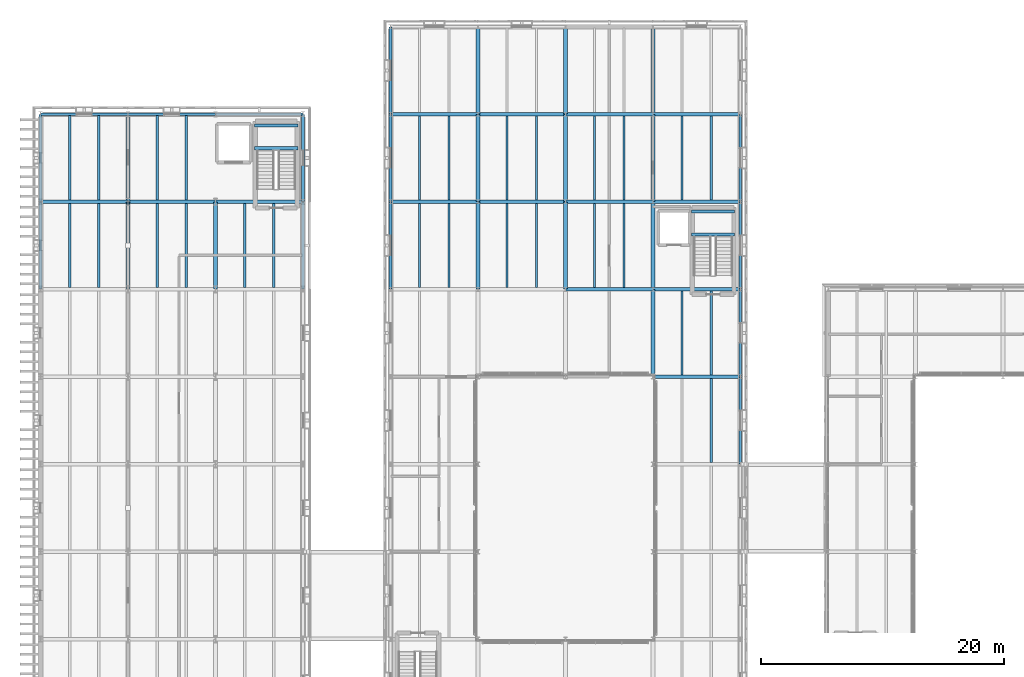
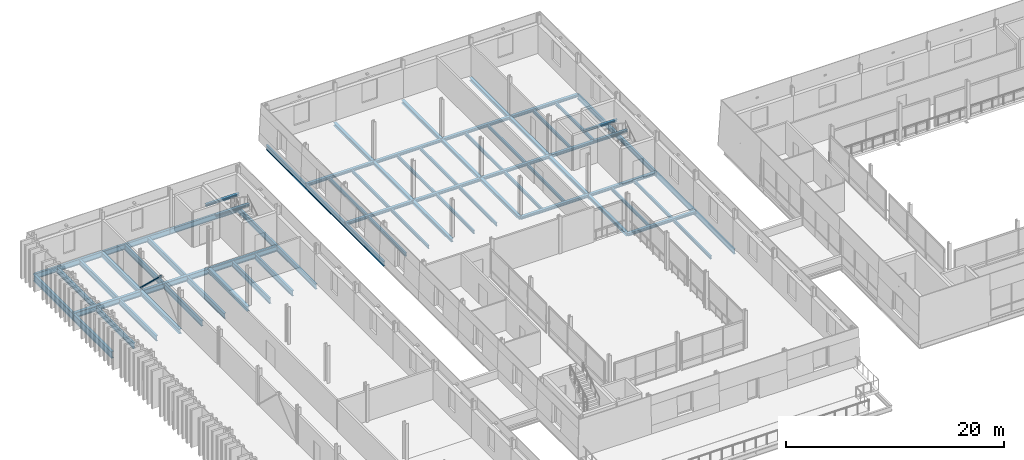
# One storey, part 21 of 91: 72 beams, 1 member.
"""IFC4 building model written with IfcOpenShell, lengths in metres."""

from ifc_helpers import new_model, si_unit, direction, frame, origin, origin_2d, place, context, subcontext, project, spatial, hollow_circle, i_section, extrude, material, material_profile, profile_set, type_object, element, save


model = new_model("IFC4")

# Units and contexts
model_context = context("Model", 3, precision=1e-05, world=origin(), true_north=direction((0.0, 1.0)))
body_context = subcontext(model_context, "Body", "Model", "MODEL_VIEW")
ifc_project = project(units=[si_unit("LENGTHUNIT", "METRE"), si_unit("AREAUNIT", "SQUARE_METRE"), si_unit("VOLUMEUNIT", "CUBIC_METRE"), si_unit("PLANEANGLEUNIT", "RADIAN"), si_unit("MASSUNIT", "GRAM", prefix="KILO")], contexts=[model_context])

# Site, building, storey
site_placement = place(None, origin())
site = spatial("IfcSite", under=ifc_project, at=site_placement, CompositionType="ELEMENT")
building_placement = place(site_placement, origin())
building = spatial("IfcBuilding", under=site, at=building_placement, Name="Narikvali Park Central Library", CompositionType="ELEMENT")
storey_placement = place(building_placement, frame((0.0, 0.0, 14.39990234375)))
storey = spatial("IfcBuildingStorey", under=building, at=storey_placement, Name="L03", CompositionType="ELEMENT", Elevation=14.39990234375)

# Beams
ifc_material = material(Name="Steel S355", Category="steel")
ifc_material_profile_1 = material_profile(ifc_material, i_section(OverallWidth=0.219970703125, OverallDepth=0.60009765625, WebThickness=0.011962890625, FlangeThickness=0.01904296875, FilletRadius=0.02392578125, at=origin_2d()), Name="IPE 600")
ifc_profile_set_1 = profile_set([ifc_material_profile_1], Name="Steel S355")
beam_type_1 = type_object("IfcBeamType", Name="Compact Archive Joist IPE600", PredefinedType="JOIST", material=ifc_profile_set_1)
for number, where, z_axis, x_axis, name in (
    (1, (2.39990234375, 93.75, -0.599853515625), (0.0, 1.0, 0.0), (-1.0, 0.0, 0.0), "V5 L03 Composite Joist 1"),
    (2, (4.800048828125, 93.75, -0.599853515625), (0.0, 1.0, 0.0), (-1.0, 0.0, 0.0), "V5 L03 Composite Joist 2"),
):
    element("IfcBeam", number, at=place(storey_placement, frame(where, z_axis=z_axis, x_axis=x_axis)), inside=storey, type_object=beam_type_1, Name=name, PredefinedType="JOIST", context=body_context, shape_type="SweptSolid", body=[
        extrude(i_section(OverallWidth=0.219970703125, OverallDepth=0.60009765625, WebThickness=0.011962890625, FlangeThickness=0.01904296875, FilletRadius=0.02392578125, at=origin_2d()), origin(), (0.0, 0.0, 1.0), 6.89990234375),
    ])
for number, where, z_axis, x_axis, name in (
    (3, (2.39990234375, 100.949951171875, -0.599853515625), (0.0, 1.0, 0.0), (-1.0, 0.0, 0.0), "V5 L03 Composite Joist 1"),
    (4, (4.800048828125, 100.949951171875, -0.599853515625), (0.0, 1.0, 0.0), (-1.0, 0.0, 0.0), "V5 L03 Composite Joist 2"),
):
    element("IfcBeam", number, at=place(storey_placement, frame(where, z_axis=z_axis, x_axis=x_axis)), inside=storey, type_object=beam_type_1, Name=name, PredefinedType="JOIST", context=body_context, shape_type="SweptSolid", body=[
        extrude(i_section(OverallWidth=0.219970703125, OverallDepth=0.60009765625, WebThickness=0.011962890625, FlangeThickness=0.01904296875, FilletRadius=0.02392578125, at=origin_2d()), origin(), (0.0, 0.0, 1.0), 6.93994140625),
    ])
for number, where, z_axis, x_axis, name in (
    (5, (9.60009765625, 93.75, -0.599853515625), (0.0, 1.0, 0.0), (-1.0, 0.0, 0.0), "V5 L03 Composite Joist 1"),
    (6, (12.0, 93.75, -0.599853515625), (0.0, 1.0, 0.0), (-1.0, 0.0, 0.0), "V5 L03 Composite Joist 2"),
):
    element("IfcBeam", number, at=place(storey_placement, frame(where, z_axis=z_axis, x_axis=x_axis)), inside=storey, type_object=beam_type_1, Name=name, PredefinedType="JOIST", context=body_context, shape_type="SweptSolid", body=[
        extrude(i_section(OverallWidth=0.219970703125, OverallDepth=0.60009765625, WebThickness=0.011962890625, FlangeThickness=0.01904296875, FilletRadius=0.02392578125, at=origin_2d()), origin(), (0.0, 0.0, 1.0), 6.89990234375),
    ])
for number, where, z_axis, x_axis, name in (
    (7, (9.60009765625, 100.949951171875, -0.599853515625), (0.0, 1.0, 0.0), (-1.0, 0.0, 0.0), "V5 L03 Composite Joist 1"),
    (8, (12.0, 100.949951171875, -0.599853515625), (0.0, 1.0, 0.0), (-1.0, 0.0, 0.0), "V5 L03 Composite Joist 2"),
):
    element("IfcBeam", number, at=place(storey_placement, frame(where, z_axis=z_axis, x_axis=x_axis)), inside=storey, type_object=beam_type_1, Name=name, PredefinedType="JOIST", context=body_context, shape_type="SweptSolid", body=[
        extrude(i_section(OverallWidth=0.219970703125, OverallDepth=0.60009765625, WebThickness=0.011962890625, FlangeThickness=0.01904296875, FilletRadius=0.02392578125, at=origin_2d()), origin(), (0.0, 0.0, 1.0), 6.93994140625),
    ])
for number, where, z_axis, x_axis, name in (
    (9, (16.800048828125, 93.75, -0.599853515625), (0.0, 1.0, 0.0), (-1.0, 0.0, 0.0), "V5 L03 Composite Joist 1"),
    (10, (19.199951171875, 93.75, -0.599853515625), (0.0, 1.0, 0.0), (-1.0, 0.0, 0.0), "V5 L03 Composite Joist 2"),
):
    element("IfcBeam", number, at=place(storey_placement, frame(where, z_axis=z_axis, x_axis=x_axis)), inside=storey, type_object=beam_type_1, Name=name, PredefinedType="JOIST", context=body_context, shape_type="SweptSolid", body=[
        extrude(i_section(OverallWidth=0.219970703125, OverallDepth=0.60009765625, WebThickness=0.011962890625, FlangeThickness=0.01904296875, FilletRadius=0.02392578125, at=origin_2d()), origin(), (0.0, 0.0, 1.0), 6.89990234375),
    ])
ifc_material_profile_2 = material_profile(ifc_material, i_section(OverallWidth=0.239990234375, OverallDepth=0.239990234375, WebThickness=0.010009765625, FlangeThickness=0.01708984375, FilletRadius=0.02099609375, at=origin_2d()), Name="HEB 240")
ifc_profile_set_2 = profile_set([ifc_material_profile_2], Name="Steel S355")
beam_type_2 = type_object("IfcBeamType", Name="Core Trimmer Girder HEB240", PredefinedType="BEAM", material=ifc_profile_set_2)
for number, where, z_axis, x_axis, name in (
    (11, (53.570068359375, 98.10498046875, 1.780029296875), (1.0, 0.0, 0.0), (0.0, 1.0, 0.0), "ST-08 L03 Landing Trimmer Beam 1-1"),
    (12, (53.570068359375, 99.97998046875, 1.780029296875), (1.0, 0.0, 0.0), (0.0, 1.0, 0.0), "ST-08 L03 Landing Trimmer Beam 1-2"),
):
    element("IfcBeam", number, at=place(storey_placement, frame(where, z_axis=z_axis, x_axis=x_axis)), inside=storey, type_object=beam_type_2, Name=name, PredefinedType="BEAM", context=body_context, shape_type="SweptSolid", body=[
        extrude(i_section(OverallWidth=0.239990234375, OverallDepth=0.239990234375, WebThickness=0.010009765625, FlangeThickness=0.01708984375, FilletRadius=0.02099609375, at=origin_2d()), origin(), (0.0, 0.0, 1.0), 3.559814453125),
    ])
ifc_material_profile_3 = material_profile(ifc_material, i_section(OverallWidth=0.260009765625, OverallDepth=0.260009765625, WebThickness=0.010009765625, FlangeThickness=0.017578125, FilletRadius=0.02392578125, at=origin_2d()), Name="HEB 260")
ifc_profile_set_3 = profile_set([ifc_material_profile_3], Name="Steel S355")
beam_type_3 = type_object("IfcBeamType", Name="Core Trimmer Girder HEB260", PredefinedType="BEAM", material=ifc_profile_set_3)
for number, where, z_axis, x_axis, name in (
    (13, (17.6201171875, 105.205078125, 1.77001953125), (1.0, 0.0, 0.0), (0.0, 1.0, 0.0), "ST-10 L03 Landing Trimmer Beam 1-1"),
    (14, (17.6201171875, 107.080078125, 1.77001953125), (1.0, 0.0, 0.0), (0.0, 1.0, 0.0), "ST-10 L03 Landing Trimmer Beam 1-2"),
):
    element("IfcBeam", number, at=place(storey_placement, frame(where, z_axis=z_axis, x_axis=x_axis)), inside=storey, type_object=beam_type_3, Name=name, PredefinedType="BEAM", context=body_context, shape_type="SweptSolid", body=[
        extrude(i_section(OverallWidth=0.260009765625, OverallDepth=0.260009765625, WebThickness=0.010009765625, FlangeThickness=0.017578125, FilletRadius=0.02392578125, at=origin_2d()), origin(), (0.0, 0.0, 1.0), 3.559814453125),
    ])
ifc_material_profile_4 = material_profile(ifc_material, i_section(OverallWidth=0.264892578125, OverallDepth=0.7529296875, WebThickness=0.01318359375, FlangeThickness=0.01708984375, FilletRadius=0.01708984375, at=origin_2d()), Name="IPE 750x147")
ifc_profile_set_4 = profile_set([ifc_material_profile_4], Name="Steel S355")
beam_type_4 = type_object("IfcBeamType", Name="Fin Facade Spandrel IPE750", PredefinedType="SPANDREL", material=ifc_profile_set_4)
beam_1_placement = place(storey_placement, frame((0.0, 93.60791015625, -0.676513671875), z_axis=(0.0, 1.0, 0.0), x_axis=(-1.0, 0.0, 0.0)))
element("IfcBeam", 15, at=beam_1_placement, inside=storey, type_object=beam_type_4, Name="V5 L03 Girder Y", PredefinedType="SPANDREL", context=body_context, shape_type="SweptSolid", body=[
    extrude(i_section(OverallWidth=0.264892578125, OverallDepth=0.7529296875, WebThickness=0.01318359375, FlangeThickness=0.01708984375, FilletRadius=0.01708984375, at=origin_2d()), origin(), (0.0, 0.0, 1.0), 7.18408203125),
])
beam_2_placement = place(storey_placement, frame((0.0, 100.80810546875, -0.676513671875), z_axis=(0.0, 1.0, 0.0), x_axis=(-1.0, 0.0, 0.0)))
element("IfcBeam", 16, at=beam_2_placement, inside=storey, type_object=beam_type_4, Name="V5 L03 Girder Y", PredefinedType="SPANDREL", context=body_context, shape_type="SweptSolid", body=[
    extrude(i_section(OverallWidth=0.264892578125, OverallDepth=0.7529296875, WebThickness=0.01318359375, FlangeThickness=0.01708984375, FilletRadius=0.01708984375, at=origin_2d()), origin(), (0.0, 0.0, 1.0), 7.183837890625),
])
ifc_material_profile_5 = material_profile(ifc_material, i_section(OverallWidth=0.2099609375, OverallDepth=0.550048828125, WebThickness=0.010986328125, FlangeThickness=0.01708984375, FilletRadius=0.02392578125, at=origin_2d()), Name="IPE 550")
ifc_profile_set_5 = profile_set([ifc_material_profile_5], Name="Steel S355")
beam_type_5 = type_object("IfcBeamType", Name="Perimeter Spandrel IPE550", PredefinedType="SPANDREL", material=ifc_profile_set_5)
beam_3_placement = place(storey_placement, frame((28.800048828125, 93.60791015625, -0.554931640625), z_axis=(0.0, 1.0, 0.0), x_axis=(-1.0, 0.0, 0.0)))
element("IfcBeam", 17, at=beam_3_placement, inside=storey, type_object=beam_type_5, Name="V4 L03 Girder Y", PredefinedType="SPANDREL", context=body_context, shape_type="SweptSolid", body=[
    extrude(i_section(OverallWidth=0.2099609375, OverallDepth=0.550048828125, WebThickness=0.010986328125, FlangeThickness=0.01708984375, FilletRadius=0.02392578125, at=origin_2d()), origin(), (0.0, 0.0, 1.0), 7.18408203125),
])
for number, where, z_axis, x_axis, name in (
    (18, (28.800048828125, 100.80810546875, -0.554931640625), (0.0, 1.0, 0.0), (-1.0, 0.0, 0.0), "V4 L03 Girder Y"),
    (19, (28.800048828125, 108.008056640625, -0.554931640625), (0.0, 1.0, 0.0), (-1.0, 0.0, 0.0), "V4 L03 Girder Y"),
):
    element("IfcBeam", number, at=place(storey_placement, frame(where, z_axis=z_axis, x_axis=x_axis)), inside=storey, type_object=beam_type_5, Name=name, PredefinedType="SPANDREL", context=body_context, shape_type="SweptSolid", body=[
        extrude(i_section(OverallWidth=0.2099609375, OverallDepth=0.550048828125, WebThickness=0.010986328125, FlangeThickness=0.01708984375, FilletRadius=0.02392578125, at=origin_2d()), origin(), (0.0, 0.0, 1.0), 7.183837890625),
    ])
for number, where, z_axis, x_axis, name in (
    (20, (57.60009765625, 79.2080078125, -0.554931640625), (0.0, 1.0, 0.0), (-1.0, 0.0, 0.0), "V4 L03 Girder Y"),
    (21, (57.60009765625, 86.407958984375, -0.554931640625), (0.0, 1.0, 0.0), (-1.0, 0.0, 0.0), "V4 L03 Girder Y"),
    (22, (57.60009765625, 93.60791015625, -0.554931640625), (0.0, 1.0, 0.0), (-1.0, 0.0, 0.0), "V4 L03 Girder Y"),
):
    element("IfcBeam", number, at=place(storey_placement, frame(where, z_axis=z_axis, x_axis=x_axis)), inside=storey, type_object=beam_type_5, Name=name, PredefinedType="SPANDREL", context=body_context, shape_type="SweptSolid", body=[
        extrude(i_section(OverallWidth=0.2099609375, OverallDepth=0.550048828125, WebThickness=0.010986328125, FlangeThickness=0.01708984375, FilletRadius=0.02392578125, at=origin_2d()), origin(), (0.0, 0.0, 1.0), 7.18408203125),
    ])
beam_4_placement = place(storey_placement, frame((57.60009765625, 100.80810546875, -0.554931640625), z_axis=(0.0, 1.0, 0.0), x_axis=(-1.0, 0.0, 0.0)))
element("IfcBeam", 23, at=beam_4_placement, inside=storey, type_object=beam_type_5, Name="V4 L03 Girder Y", PredefinedType="SPANDREL", context=body_context, shape_type="SweptSolid", body=[
    extrude(i_section(OverallWidth=0.2099609375, OverallDepth=0.550048828125, WebThickness=0.010986328125, FlangeThickness=0.01708984375, FilletRadius=0.02392578125, at=origin_2d()), origin(), (0.0, 0.0, 1.0), 7.183837890625),
])
ifc_material_profile_6 = material_profile(ifc_material, i_section(OverallWidth=0.219970703125, OverallDepth=0.60009765625, WebThickness=0.011962890625, FlangeThickness=0.01904296875, FilletRadius=0.02392578125, at=origin_2d()), Name="IPE 600")
ifc_profile_set_6 = profile_set([ifc_material_profile_6], Name="Steel S355")
beam_type_6 = type_object("IfcBeamType", Name="Perimeter Spandrel IPE600", PredefinedType="SPANDREL", material=ifc_profile_set_6)
beam_5_placement = place(storey_placement, frame((0.008056640625, 108.0, -0.599853515625), z_axis=(1.0, 0.0, 0.0), x_axis=(0.0, 1.0, 0.0)))
element("IfcBeam", 24, at=beam_5_placement, inside=storey, type_object=beam_type_6, Name="V5 L03 Girder X", PredefinedType="SPANDREL", context=body_context, shape_type="SweptSolid", body=[
    extrude(i_section(OverallWidth=0.219970703125, OverallDepth=0.60009765625, WebThickness=0.011962890625, FlangeThickness=0.01904296875, FilletRadius=0.02392578125, at=origin_2d()), origin(), (0.0, 0.0, 1.0), 7.183837890625),
])
for number, where, z_axis, x_axis, name in (
    (25, (7.2080078125, 108.0, -0.599853515625), (1.0, 0.0, 0.0), (0.0, 1.0, 0.0), "V5 L03 Girder X"),
    (26, (14.407958984375, 108.0, -0.599853515625), (1.0, 0.0, 0.0), (0.0, 1.0, 0.0), "V5 L03 Girder X"),
    (27, (21.60009765625, 93.60791015625, -0.599853515625), (0.0, 1.0, 0.0), (-1.0, 0.0, 0.0), "V5 L03 Girder Y"),
):
    element("IfcBeam", number, at=place(storey_placement, frame(where, z_axis=z_axis, x_axis=x_axis)), inside=storey, type_object=beam_type_6, Name=name, PredefinedType="SPANDREL", context=body_context, shape_type="SweptSolid", body=[
        extrude(i_section(OverallWidth=0.219970703125, OverallDepth=0.60009765625, WebThickness=0.011962890625, FlangeThickness=0.01904296875, FilletRadius=0.02392578125, at=origin_2d()), origin(), (0.0, 0.0, 1.0), 7.18408203125),
    ])
beam_6_placement = place(storey_placement, frame((21.60009765625, 100.80810546875, -0.599853515625), z_axis=(0.0, 1.0, 0.0), x_axis=(-1.0, 0.0, 0.0)))
element("IfcBeam", 28, at=beam_6_placement, inside=storey, type_object=beam_type_6, Name="V5 L03 Girder Y", PredefinedType="SPANDREL", context=body_context, shape_type="SweptSolid", body=[
    extrude(i_section(OverallWidth=0.219970703125, OverallDepth=0.60009765625, WebThickness=0.011962890625, FlangeThickness=0.01904296875, FilletRadius=0.02392578125, at=origin_2d()), origin(), (0.0, 0.0, 1.0), 7.183837890625),
])
ifc_material_profile_7 = material_profile(ifc_material, i_section(OverallWidth=0.300048828125, OverallDepth=0.31005859375, WebThickness=0.009033203125, FlangeThickness=0.015380859375, FilletRadius=0.027099609375, at=origin_2d()), Name="HEA 320")
ifc_profile_set_7 = profile_set([ifc_material_profile_7], Name="Steel S355")
beam_type_7 = type_object("IfcBeamType", Name="Primary Girder HEA320", PredefinedType="BEAM", material=ifc_profile_set_7)
for number, where, z_axis, x_axis, name in (
    (29, (50.407958984375, 86.39990234375, -0.434814453125), (1.0, 0.0, 0.0), (0.0, 1.0, 0.0), "V4 L03 Girder X"),
    (30, (43.2080078125, 93.60009765625, -0.434814453125), (1.0, 0.0, 0.0), (0.0, 1.0, 0.0), "V4 L03 Girder X"),
    (31, (50.407958984375, 93.60009765625, -0.434814453125), (1.0, 0.0, 0.0), (0.0, 1.0, 0.0), "V4 L03 Girder X"),
):
    element("IfcBeam", number, at=place(storey_placement, frame(where, z_axis=z_axis, x_axis=x_axis)), inside=storey, type_object=beam_type_7, Name=name, PredefinedType="BEAM", context=body_context, shape_type="SweptSolid", body=[
        extrude(i_section(OverallWidth=0.300048828125, OverallDepth=0.31005859375, WebThickness=0.009033203125, FlangeThickness=0.015380859375, FilletRadius=0.027099609375, at=origin_2d()), origin(), (0.0, 0.0, 1.0), 7.18408203125),
    ])
for number, where, z_axis, x_axis, name in (
    (32, (28.80810546875, 100.800048828125, -0.434814453125), (1.0, 0.0, 0.0), (0.0, 1.0, 0.0), "V4 L03 Girder X"),
    (33, (36.008056640625, 100.800048828125, -0.434814453125), (1.0, 0.0, 0.0), (0.0, 1.0, 0.0), "V4 L03 Girder X"),
):
    element("IfcBeam", number, at=place(storey_placement, frame(where, z_axis=z_axis, x_axis=x_axis)), inside=storey, type_object=beam_type_7, Name=name, PredefinedType="BEAM", context=body_context, shape_type="SweptSolid", body=[
        extrude(i_section(OverallWidth=0.300048828125, OverallDepth=0.31005859375, WebThickness=0.009033203125, FlangeThickness=0.015380859375, FilletRadius=0.027099609375, at=origin_2d()), origin(), (0.0, 0.0, 1.0), 7.183837890625),
    ])
for number, where, z_axis, x_axis, name in (
    (34, (43.2080078125, 100.800048828125, -0.434814453125), (1.0, 0.0, 0.0), (0.0, 1.0, 0.0), "V4 L03 Girder X"),
    (35, (50.407958984375, 100.800048828125, -0.434814453125), (1.0, 0.0, 0.0), (0.0, 1.0, 0.0), "V4 L03 Girder X"),
):
    element("IfcBeam", number, at=place(storey_placement, frame(where, z_axis=z_axis, x_axis=x_axis)), inside=storey, type_object=beam_type_7, Name=name, PredefinedType="BEAM", context=body_context, shape_type="SweptSolid", body=[
        extrude(i_section(OverallWidth=0.300048828125, OverallDepth=0.31005859375, WebThickness=0.009033203125, FlangeThickness=0.015380859375, FilletRadius=0.027099609375, at=origin_2d()), origin(), (0.0, 0.0, 1.0), 7.18408203125),
    ])
for number, where, z_axis, x_axis, name in (
    (36, (28.80810546875, 108.0, -0.434814453125), (1.0, 0.0, 0.0), (0.0, 1.0, 0.0), "V4 L03 Girder X"),
    (37, (36.008056640625, 108.0, -0.434814453125), (1.0, 0.0, 0.0), (0.0, 1.0, 0.0), "V4 L03 Girder X"),
):
    element("IfcBeam", number, at=place(storey_placement, frame(where, z_axis=z_axis, x_axis=x_axis)), inside=storey, type_object=beam_type_7, Name=name, PredefinedType="BEAM", context=body_context, shape_type="SweptSolid", body=[
        extrude(i_section(OverallWidth=0.300048828125, OverallDepth=0.31005859375, WebThickness=0.009033203125, FlangeThickness=0.015380859375, FilletRadius=0.027099609375, at=origin_2d()), origin(), (0.0, 0.0, 1.0), 7.183837890625),
    ])
for number, where, z_axis, x_axis, name in (
    (38, (43.2080078125, 108.0, -0.434814453125), (1.0, 0.0, 0.0), (0.0, 1.0, 0.0), "V4 L03 Girder X"),
    (39, (50.407958984375, 108.0, -0.434814453125), (1.0, 0.0, 0.0), (0.0, 1.0, 0.0), "V4 L03 Girder X"),
):
    element("IfcBeam", number, at=place(storey_placement, frame(where, z_axis=z_axis, x_axis=x_axis)), inside=storey, type_object=beam_type_7, Name=name, PredefinedType="BEAM", context=body_context, shape_type="SweptSolid", body=[
        extrude(i_section(OverallWidth=0.300048828125, OverallDepth=0.31005859375, WebThickness=0.009033203125, FlangeThickness=0.015380859375, FilletRadius=0.027099609375, at=origin_2d()), origin(), (0.0, 0.0, 1.0), 7.18408203125),
    ])
ifc_material_profile_8 = material_profile(ifc_material, i_section(OverallWidth=0.300048828125, OverallDepth=0.35009765625, WebThickness=0.010009765625, FlangeThickness=0.017578125, FilletRadius=0.027099609375, at=origin_2d()), Name="HEA 360")
ifc_profile_set_8 = profile_set([ifc_material_profile_8], Name="Steel S355")
beam_type_8 = type_object("IfcBeamType", Name="Primary Girder HEA360", PredefinedType="BEAM", material=ifc_profile_set_8)
beam_7_placement = place(storey_placement, frame((36.0, 93.60791015625, -0.454833984375), z_axis=(0.0, 1.0, 0.0), x_axis=(-1.0, 0.0, 0.0)))
element("IfcBeam", 40, at=beam_7_placement, inside=storey, type_object=beam_type_8, Name="V4 L03 Girder Y", PredefinedType="BEAM", context=body_context, shape_type="SweptSolid", body=[
    extrude(i_section(OverallWidth=0.300048828125, OverallDepth=0.35009765625, WebThickness=0.010009765625, FlangeThickness=0.017578125, FilletRadius=0.027099609375, at=origin_2d()), origin(), (0.0, 0.0, 1.0), 7.18408203125),
])
for number, where, z_axis, x_axis, name in (
    (41, (36.0, 100.80810546875, -0.454833984375), (0.0, 1.0, 0.0), (-1.0, 0.0, 0.0), "V4 L03 Girder Y"),
    (42, (36.0, 108.008056640625, -0.454833984375), (0.0, 1.0, 0.0), (-1.0, 0.0, 0.0), "V4 L03 Girder Y"),
):
    element("IfcBeam", number, at=place(storey_placement, frame(where, z_axis=z_axis, x_axis=x_axis)), inside=storey, type_object=beam_type_8, Name=name, PredefinedType="BEAM", context=body_context, shape_type="SweptSolid", body=[
        extrude(i_section(OverallWidth=0.300048828125, OverallDepth=0.35009765625, WebThickness=0.010009765625, FlangeThickness=0.017578125, FilletRadius=0.027099609375, at=origin_2d()), origin(), (0.0, 0.0, 1.0), 7.183837890625),
    ])
beam_8_placement = place(storey_placement, frame((43.199951171875, 93.60791015625, -0.454833984375), z_axis=(0.0, 1.0, 0.0), x_axis=(-1.0, 0.0, 0.0)))
element("IfcBeam", 43, at=beam_8_placement, inside=storey, type_object=beam_type_8, Name="V4 L03 Girder Y", PredefinedType="BEAM", context=body_context, shape_type="SweptSolid", body=[
    extrude(i_section(OverallWidth=0.300048828125, OverallDepth=0.35009765625, WebThickness=0.010009765625, FlangeThickness=0.017578125, FilletRadius=0.027099609375, at=origin_2d()), origin(), (0.0, 0.0, 1.0), 7.18408203125),
])
for number, where, z_axis, x_axis, name in (
    (44, (43.199951171875, 100.80810546875, -0.454833984375), (0.0, 1.0, 0.0), (-1.0, 0.0, 0.0), "V4 L03 Girder Y"),
    (45, (43.199951171875, 108.008056640625, -0.454833984375), (0.0, 1.0, 0.0), (-1.0, 0.0, 0.0), "V4 L03 Girder Y"),
):
    element("IfcBeam", number, at=place(storey_placement, frame(where, z_axis=z_axis, x_axis=x_axis)), inside=storey, type_object=beam_type_8, Name=name, PredefinedType="BEAM", context=body_context, shape_type="SweptSolid", body=[
        extrude(i_section(OverallWidth=0.300048828125, OverallDepth=0.35009765625, WebThickness=0.010009765625, FlangeThickness=0.017578125, FilletRadius=0.027099609375, at=origin_2d()), origin(), (0.0, 0.0, 1.0), 7.183837890625),
    ])
for number, where, z_axis, x_axis, name in (
    (46, (50.39990234375, 86.407958984375, -0.454833984375), (0.0, 1.0, 0.0), (-1.0, 0.0, 0.0), "V4 L03 Girder Y"),
    (47, (50.39990234375, 93.60791015625, -0.454833984375), (0.0, 1.0, 0.0), (-1.0, 0.0, 0.0), "V4 L03 Girder Y"),
):
    element("IfcBeam", number, at=place(storey_placement, frame(where, z_axis=z_axis, x_axis=x_axis)), inside=storey, type_object=beam_type_8, Name=name, PredefinedType="BEAM", context=body_context, shape_type="SweptSolid", body=[
        extrude(i_section(OverallWidth=0.300048828125, OverallDepth=0.35009765625, WebThickness=0.010009765625, FlangeThickness=0.017578125, FilletRadius=0.027099609375, at=origin_2d()), origin(), (0.0, 0.0, 1.0), 7.18408203125),
    ])
for number, where, z_axis, x_axis, name in (
    (48, (50.39990234375, 100.80810546875, -0.454833984375), (0.0, 1.0, 0.0), (-1.0, 0.0, 0.0), "V4 L03 Girder Y"),
    (49, (50.39990234375, 108.008056640625, -0.454833984375), (0.0, 1.0, 0.0), (-1.0, 0.0, 0.0), "V4 L03 Girder Y"),
):
    element("IfcBeam", number, at=place(storey_placement, frame(where, z_axis=z_axis, x_axis=x_axis)), inside=storey, type_object=beam_type_8, Name=name, PredefinedType="BEAM", context=body_context, shape_type="SweptSolid", body=[
        extrude(i_section(OverallWidth=0.300048828125, OverallDepth=0.35009765625, WebThickness=0.010009765625, FlangeThickness=0.017578125, FilletRadius=0.027099609375, at=origin_2d()), origin(), (0.0, 0.0, 1.0), 7.183837890625),
    ])
ifc_material_profile_9 = material_profile(ifc_material, i_section(OverallWidth=0.300048828125, OverallDepth=0.5400390625, WebThickness=0.012451171875, FlangeThickness=0.02392578125, FilletRadius=0.027099609375, at=origin_2d()), Name="HEA 550")
ifc_profile_set_9 = profile_set([ifc_material_profile_9], Name="Steel S355")
beam_type_9 = type_object("IfcBeamType", Name="Primary Girder HEA550", PredefinedType="BEAM", material=ifc_profile_set_9)
beam_9_placement = place(storey_placement, frame((7.199951171875, 93.60791015625, -0.56982421875), z_axis=(0.0, 1.0, 0.0), x_axis=(-1.0, 0.0, 0.0)))
element("IfcBeam", 50, at=beam_9_placement, inside=storey, type_object=beam_type_9, Name="V5 L03 Girder Y", PredefinedType="BEAM", context=body_context, shape_type="SweptSolid", body=[
    extrude(i_section(OverallWidth=0.300048828125, OverallDepth=0.5400390625, WebThickness=0.012451171875, FlangeThickness=0.02392578125, FilletRadius=0.027099609375, at=origin_2d()), origin(), (0.0, 0.0, 1.0), 7.18408203125),
])
beam_10_placement = place(storey_placement, frame((7.199951171875, 100.80810546875, -0.56982421875), z_axis=(0.0, 1.0, 0.0), x_axis=(-1.0, 0.0, 0.0)))
element("IfcBeam", 51, at=beam_10_placement, inside=storey, type_object=beam_type_9, Name="V5 L03 Girder Y", PredefinedType="BEAM", context=body_context, shape_type="SweptSolid", body=[
    extrude(i_section(OverallWidth=0.300048828125, OverallDepth=0.5400390625, WebThickness=0.012451171875, FlangeThickness=0.02392578125, FilletRadius=0.027099609375, at=origin_2d()), origin(), (0.0, 0.0, 1.0), 7.183837890625),
])
beam_11_placement = place(storey_placement, frame((14.39990234375, 93.60791015625, -0.56982421875), z_axis=(0.0, 1.0, 0.0), x_axis=(-1.0, 0.0, 0.0)))
element("IfcBeam", 52, at=beam_11_placement, inside=storey, type_object=beam_type_9, Name="V5 L03 Girder Y", PredefinedType="BEAM", context=body_context, shape_type="SweptSolid", body=[
    extrude(i_section(OverallWidth=0.300048828125, OverallDepth=0.5400390625, WebThickness=0.012451171875, FlangeThickness=0.02392578125, FilletRadius=0.027099609375, at=origin_2d()), origin(), (0.0, 0.0, 1.0), 7.18408203125),
])
ifc_material_profile_10 = material_profile(ifc_material, i_section(OverallWidth=0.300048828125, OverallDepth=0.60009765625, WebThickness=0.015380859375, FlangeThickness=0.030029296875, FilletRadius=0.027099609375, at=origin_2d()), Name="HEB 600")
ifc_profile_set_10 = profile_set([ifc_material_profile_10], Name="Steel S355")
beam_type_10 = type_object("IfcBeamType", Name="Primary Stack Girder HEB600", PredefinedType="BEAM", material=ifc_profile_set_10)
beam_12_placement = place(storey_placement, frame((0.008056640625, 100.800048828125, -0.599853515625), z_axis=(1.0, 0.0, 0.0), x_axis=(0.0, 1.0, 0.0)))
element("IfcBeam", 53, at=beam_12_placement, inside=storey, type_object=beam_type_10, Name="V5 L03 Girder X", PredefinedType="BEAM", context=body_context, shape_type="SweptSolid", body=[
    extrude(i_section(OverallWidth=0.300048828125, OverallDepth=0.60009765625, WebThickness=0.015380859375, FlangeThickness=0.030029296875, FilletRadius=0.027099609375, at=origin_2d()), origin(), (0.0, 0.0, 1.0), 7.183837890625),
])
for number, where, z_axis, x_axis, name in (
    (54, (7.2080078125, 100.800048828125, -0.599853515625), (1.0, 0.0, 0.0), (0.0, 1.0, 0.0), "V5 L03 Girder X"),
    (55, (14.407958984375, 100.800048828125, -0.599853515625), (1.0, 0.0, 0.0), (0.0, 1.0, 0.0), "V5 L03 Girder X"),
):
    element("IfcBeam", number, at=place(storey_placement, frame(where, z_axis=z_axis, x_axis=x_axis)), inside=storey, type_object=beam_type_10, Name=name, PredefinedType="BEAM", context=body_context, shape_type="SweptSolid", body=[
        extrude(i_section(OverallWidth=0.300048828125, OverallDepth=0.60009765625, WebThickness=0.015380859375, FlangeThickness=0.030029296875, FilletRadius=0.027099609375, at=origin_2d()), origin(), (0.0, 0.0, 1.0), 7.18408203125),
    ])

# Member
ifc_material_profile_11 = material_profile(ifc_material, hollow_circle(Radius=0.122314453125, WallThickness=0.012451171875, at=origin_2d()), Name="CHS 244.5x12.5")
ifc_profile_set_11 = profile_set([ifc_material_profile_11], Name="Steel S355")
member_type = type_object("IfcMemberType", Name="Upper Chevron Brace CHS244", PredefinedType="BRACE", material=ifc_profile_set_11)
member_placement = place(storey_placement, frame((7.199951171875, 100.784912109375, 0.01513671875), z_axis=(0.0, -0.725068468495, 0.688676786305), x_axis=(1.0, 0.0, 0.0)))
element("IfcMember", 56, at=member_placement, inside=storey, type_object=member_type, Name="V5 L03 Seismic Chevron Brace B", PredefinedType="BRACE", context=body_context, shape_type="SweptSolid", body=[
    extrude(hollow_circle(Radius=0.122314453125, WallThickness=0.012451171875, at=origin_2d()), origin(), (0.0, 0.0, 1.0), 4.9443359375),
])

# Beams
ifc_material_profile_12 = material_profile(ifc_material, i_section(OverallWidth=0.172119140625, OverallDepth=0.364013671875, WebThickness=0.00927734375, FlangeThickness=0.0146484375, FilletRadius=0.01806640625, at=origin_2d()), Name="IPEO 360")
ifc_profile_set_12 = profile_set([ifc_material_profile_12], Name="Steel S355")
beam_type_11 = type_object("IfcBeamType", Name="Upper Study Joist IPEO360", PredefinedType="JOIST", material=ifc_profile_set_12)
for number, where, z_axis, x_axis, name in (
    (57, (31.199951171875, 93.75, -0.4619140625), (0.0, 1.0, 0.0), (-1.0, 0.0, 0.0), "V4 L03 Composite Joist 1"),
    (58, (33.60009765625, 93.75, -0.4619140625), (0.0, 1.0, 0.0), (-1.0, 0.0, 0.0), "V4 L03 Composite Joist 2"),
):
    element("IfcBeam", number, at=place(storey_placement, frame(where, z_axis=z_axis, x_axis=x_axis)), inside=storey, type_object=beam_type_11, Name=name, PredefinedType="JOIST", context=body_context, shape_type="SweptSolid", body=[
        extrude(i_section(OverallWidth=0.172119140625, OverallDepth=0.364013671875, WebThickness=0.00927734375, FlangeThickness=0.0146484375, FilletRadius=0.01806640625, at=origin_2d()), origin(), (0.0, 0.0, 1.0), 6.89990234375),
    ])
for number, where, z_axis, x_axis, name in (
    (59, (31.199951171875, 100.949951171875, -0.4619140625), (0.0, 1.0, 0.0), (-1.0, 0.0, 0.0), "V4 L03 Composite Joist 1"),
    (60, (33.60009765625, 100.949951171875, -0.4619140625), (0.0, 1.0, 0.0), (-1.0, 0.0, 0.0), "V4 L03 Composite Joist 2"),
):
    element("IfcBeam", number, at=place(storey_placement, frame(where, z_axis=z_axis, x_axis=x_axis)), inside=storey, type_object=beam_type_11, Name=name, PredefinedType="JOIST", context=body_context, shape_type="SweptSolid", body=[
        extrude(i_section(OverallWidth=0.172119140625, OverallDepth=0.364013671875, WebThickness=0.00927734375, FlangeThickness=0.0146484375, FilletRadius=0.01806640625, at=origin_2d()), origin(), (0.0, 0.0, 1.0), 6.900146484375),
    ])
for number, where, z_axis, x_axis, name in (
    (61, (38.39990234375, 93.75, -0.4619140625), (0.0, 1.0, 0.0), (-1.0, 0.0, 0.0), "V4 L03 Composite Joist 1"),
    (62, (40.800048828125, 93.75, -0.4619140625), (0.0, 1.0, 0.0), (-1.0, 0.0, 0.0), "V4 L03 Composite Joist 2"),
):
    element("IfcBeam", number, at=place(storey_placement, frame(where, z_axis=z_axis, x_axis=x_axis)), inside=storey, type_object=beam_type_11, Name=name, PredefinedType="JOIST", context=body_context, shape_type="SweptSolid", body=[
        extrude(i_section(OverallWidth=0.172119140625, OverallDepth=0.364013671875, WebThickness=0.00927734375, FlangeThickness=0.0146484375, FilletRadius=0.01806640625, at=origin_2d()), origin(), (0.0, 0.0, 1.0), 6.89990234375),
    ])
for number, where, z_axis, x_axis, name in (
    (63, (38.39990234375, 100.949951171875, -0.4619140625), (0.0, 1.0, 0.0), (-1.0, 0.0, 0.0), "V4 L03 Composite Joist 1"),
    (64, (40.800048828125, 100.949951171875, -0.4619140625), (0.0, 1.0, 0.0), (-1.0, 0.0, 0.0), "V4 L03 Composite Joist 2"),
):
    element("IfcBeam", number, at=place(storey_placement, frame(where, z_axis=z_axis, x_axis=x_axis)), inside=storey, type_object=beam_type_11, Name=name, PredefinedType="JOIST", context=body_context, shape_type="SweptSolid", body=[
        extrude(i_section(OverallWidth=0.172119140625, OverallDepth=0.364013671875, WebThickness=0.00927734375, FlangeThickness=0.0146484375, FilletRadius=0.01806640625, at=origin_2d()), origin(), (0.0, 0.0, 1.0), 6.900146484375),
    ])
for number, where, z_axis, x_axis, name in (
    (65, (45.60009765625, 93.75, -0.4619140625), (0.0, 1.0, 0.0), (-1.0, 0.0, 0.0), "V4 L03 Composite Joist 1"),
    (66, (48.0, 93.75, -0.4619140625), (0.0, 1.0, 0.0), (-1.0, 0.0, 0.0), "V4 L03 Composite Joist 2"),
):
    element("IfcBeam", number, at=place(storey_placement, frame(where, z_axis=z_axis, x_axis=x_axis)), inside=storey, type_object=beam_type_11, Name=name, PredefinedType="JOIST", context=body_context, shape_type="SweptSolid", body=[
        extrude(i_section(OverallWidth=0.172119140625, OverallDepth=0.364013671875, WebThickness=0.00927734375, FlangeThickness=0.0146484375, FilletRadius=0.01806640625, at=origin_2d()), origin(), (0.0, 0.0, 1.0), 6.89990234375),
    ])
for number, where, z_axis, x_axis, name in (
    (67, (45.60009765625, 100.949951171875, -0.4619140625), (0.0, 1.0, 0.0), (-1.0, 0.0, 0.0), "V4 L03 Composite Joist 1"),
    (68, (48.0, 100.949951171875, -0.4619140625), (0.0, 1.0, 0.0), (-1.0, 0.0, 0.0), "V4 L03 Composite Joist 2"),
):
    element("IfcBeam", number, at=place(storey_placement, frame(where, z_axis=z_axis, x_axis=x_axis)), inside=storey, type_object=beam_type_11, Name=name, PredefinedType="JOIST", context=body_context, shape_type="SweptSolid", body=[
        extrude(i_section(OverallWidth=0.172119140625, OverallDepth=0.364013671875, WebThickness=0.00927734375, FlangeThickness=0.0146484375, FilletRadius=0.01806640625, at=origin_2d()), origin(), (0.0, 0.0, 1.0), 6.900146484375),
    ])
for number, where, z_axis, x_axis, name in (
    (69, (55.199951171875, 79.35009765625, -0.4619140625), (0.0, 1.0, 0.0), (-1.0, 0.0, 0.0), "V4 L03 Composite Joist 2"),
    (70, (52.800048828125, 86.550048828125, -0.4619140625), (0.0, 1.0, 0.0), (-1.0, 0.0, 0.0), "V4 L03 Composite Joist 1"),
    (71, (55.199951171875, 86.550048828125, -0.4619140625), (0.0, 1.0, 0.0), (-1.0, 0.0, 0.0), "V4 L03 Composite Joist 2"),
):
    element("IfcBeam", number, at=place(storey_placement, frame(where, z_axis=z_axis, x_axis=x_axis)), inside=storey, type_object=beam_type_11, Name=name, PredefinedType="JOIST", context=body_context, shape_type="SweptSolid", body=[
        extrude(i_section(OverallWidth=0.172119140625, OverallDepth=0.364013671875, WebThickness=0.00927734375, FlangeThickness=0.0146484375, FilletRadius=0.01806640625, at=origin_2d()), origin(), (0.0, 0.0, 1.0), 6.89990234375),
    ])
for number, where, z_axis, x_axis, name in (
    (72, (52.800048828125, 100.949951171875, -0.4619140625), (0.0, 1.0, 0.0), (-1.0, 0.0, 0.0), "V4 L03 Composite Joist 1"),
    (73, (55.199951171875, 100.949951171875, -0.4619140625), (0.0, 1.0, 0.0), (-1.0, 0.0, 0.0), "V4 L03 Composite Joist 2"),
):
    element("IfcBeam", number, at=place(storey_placement, frame(where, z_axis=z_axis, x_axis=x_axis)), inside=storey, type_object=beam_type_11, Name=name, PredefinedType="JOIST", context=body_context, shape_type="SweptSolid", body=[
        extrude(i_section(OverallWidth=0.172119140625, OverallDepth=0.364013671875, WebThickness=0.00927734375, FlangeThickness=0.0146484375, FilletRadius=0.01806640625, at=origin_2d()), origin(), (0.0, 0.0, 1.0), 6.900146484375),
    ])

save(model, "model.ifc")
